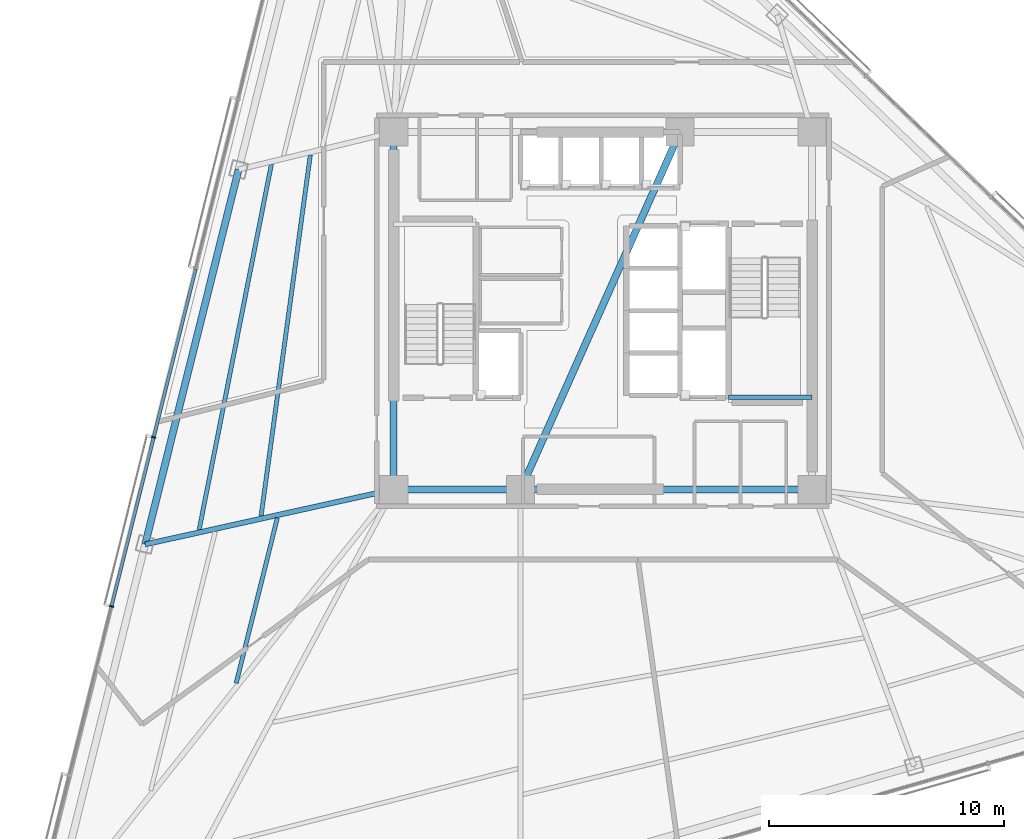
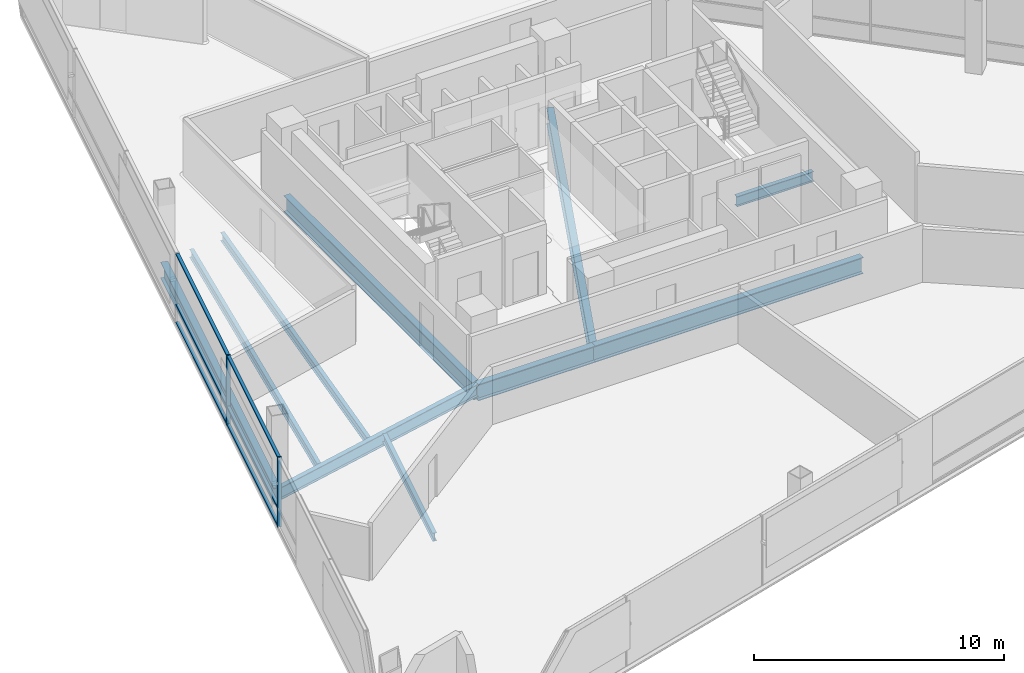
# One storey, part 4 of 18: 10 beams, 8 members, 1 element without a shape of its own.
"""IFC4 building model written with IfcOpenShell, lengths in metres."""

from ifc_helpers import new_model, si_unit, direction, frame, origin, origin_2d, place, context, subcontext, project, spatial, rectangle, i_section, extrude, material, layer, layer_set, material_profile, profile_set, type_object, element, aggregate, save


model = new_model("IFC4")

# Units and contexts
model_context = context("Model", 3, precision=1e-05, world=origin(), true_north=direction((0.0, 1.0)))
body_context = subcontext(model_context, "Body", "Model", "MODEL_VIEW")
ifc_project = project(units=[si_unit("LENGTHUNIT", "METRE"), si_unit("AREAUNIT", "SQUARE_METRE"), si_unit("VOLUMEUNIT", "CUBIC_METRE"), si_unit("PLANEANGLEUNIT", "RADIAN"), si_unit("MASSUNIT", "GRAM", prefix="KILO")], contexts=[model_context])

# Site, building, storey
site_placement = place(None, origin())
site = spatial("IfcSite", under=ifc_project, at=site_placement, CompositionType="ELEMENT")
building_placement = place(site_placement, origin())
building = spatial("IfcBuilding", under=site, at=building_placement, Name="Tharavind Bronze Gate", CompositionType="ELEMENT")
storey_placement = place(building_placement, frame((0.0, 0.0, 100.5)))
storey = spatial("IfcBuildingStorey", under=building, at=storey_placement, Name="L25", CompositionType="ELEMENT", Elevation=100.5)

# Curtain wall, members
ifc_material_1 = material(Name="Anodised Bronze Aluminium", Category="aluminium")
ifc_layer = layer(ifc_material_1, 0.219970703125)
ifc_layer_set = layer_set([ifc_layer], Name="Anodised Bronze Aluminium")
curtain_wall_type = type_object("IfcCurtainWallType", Name="UNITISED CURTAIN WALL LOWER OFFICE", PredefinedType="USERDEFINED", material=ifc_layer_set)
curtain_wall_placement = place(storey_placement, origin())
curtain_wall = element("IfcCurtainWall", 1, at=curtain_wall_placement, inside=storey, type_object=curtain_wall_type, Name="L25 unitised curtain wall lower office CW-L25-S1", ObjectType="UNITISED CURTAIN WALL", PredefinedType="USERDEFINED")
member_type_1 = type_object("IfcMemberType", Name="CURTAIN WALL BRONZE MULLION 65X180", PredefinedType="MULLION", material=ifc_material_1)
member_1_placement = place(storey_placement, frame((-19.1083984375, -5.381591796875, 0.0), z_axis=(0.0, 0.0, 1.0), x_axis=(-0.2419218956, -0.970295726276, 0.0)))
member_1 = element("IfcMember", 2, at=member_1_placement, type_object=member_type_1, Name="CW-L25-S1 mullion 5", PredefinedType="MULLION", context=body_context, shape_type="SweptSolid", body=[
    extrude(rectangle(XDim=0.06494140625, YDim=0.179931640625, at=origin_2d()), origin(), (0.0, 0.0, 1.0), 3.409912109375),
])
member_2_placement = place(storey_placement, frame((-20.902099609375, -12.57568359375, 0.0), z_axis=(0.0, 0.0, 1.0), x_axis=(-0.2419218956, -0.970295726276, 0.0)))
member_2 = element("IfcMember", 3, at=member_2_placement, type_object=member_type_1, Name="CW-L25-S1 mullion 6", PredefinedType="MULLION", context=body_context, shape_type="SweptSolid", body=[
    extrude(rectangle(XDim=0.06494140625, YDim=0.179931640625, at=origin_2d()), origin(), (0.0, 0.0, 1.0), 3.409912109375),
])
member_type_2 = type_object("IfcMemberType", Name="CURTAIN WALL BRONZE TRANSOM 65X140", PredefinedType="USERDEFINED", material=ifc_material_1)
member_3_placement = place(storey_placement, frame((-18.21142578125, -1.78466796875, 0.0), z_axis=(0.0, 0.0, 1.0), x_axis=(-0.2419218956, -0.970295726276, 0.0)))
member_3 = element("IfcMember", 4, at=member_3_placement, type_object=member_type_2, Name="CW-L25-S1 transom TB4", ObjectType="TRANSOM", PredefinedType="USERDEFINED", context=body_context, shape_type="SweptSolid", body=[
    extrude(rectangle(XDim=7.361083984375, YDim=0.139892578125, at=origin_2d()), origin(), (0.0, 0.0, 1.0), 0.06494140625),
])
member_4_placement = place(storey_placement, frame((-18.21142578125, -1.78466796875, 0.867431640625), z_axis=(0.0, 0.0, 1.0), x_axis=(-0.2419218956, -0.970295726276, 0.0)))
member_4 = element("IfcMember", 5, at=member_4_placement, type_object=member_type_2, Name="CW-L25-S1 transom TS4", ObjectType="TRANSOM", PredefinedType="USERDEFINED", context=body_context, shape_type="SweptSolid", body=[
    extrude(rectangle(XDim=7.361083984375, YDim=0.139892578125, at=origin_2d()), origin(), (0.0, 0.0, 1.0), 0.06494140625),
])
member_5_placement = place(storey_placement, frame((-18.21142578125, -1.78466796875, 3.344970703125), z_axis=(0.0, 0.0, 1.0), x_axis=(-0.2419218956, -0.970295726276, 0.0)))
member_5 = element("IfcMember", 6, at=member_5_placement, type_object=member_type_2, Name="CW-L25-S1 transom TT4", ObjectType="TRANSOM", PredefinedType="USERDEFINED", context=body_context, shape_type="SweptSolid", body=[
    extrude(rectangle(XDim=7.361083984375, YDim=0.139892578125, at=origin_2d()), origin(), (0.0, 0.0, 1.0), 0.06494140625),
])
member_6_placement = place(storey_placement, frame((-20.005126953125, -8.978759765625, 0.0), z_axis=(0.0, 0.0, 1.0), x_axis=(-0.2419218956, -0.970295726276, 0.0)))
member_6 = element("IfcMember", 7, at=member_6_placement, type_object=member_type_2, Name="CW-L25-S1 transom TB5", ObjectType="TRANSOM", PredefinedType="USERDEFINED", context=body_context, shape_type="SweptSolid", body=[
    extrude(rectangle(XDim=7.361083984375, YDim=0.139892578125, at=origin_2d()), origin(), (0.0, 0.0, 1.0), 0.06494140625),
])
member_7_placement = place(storey_placement, frame((-20.005126953125, -8.978759765625, 0.867431640625), z_axis=(0.0, 0.0, 1.0), x_axis=(-0.2419218956, -0.970295726276, 0.0)))
member_7 = element("IfcMember", 8, at=member_7_placement, type_object=member_type_2, Name="CW-L25-S1 transom TS5", ObjectType="TRANSOM", PredefinedType="USERDEFINED", context=body_context, shape_type="SweptSolid", body=[
    extrude(rectangle(XDim=7.361083984375, YDim=0.139892578125, at=origin_2d()), origin(), (0.0, 0.0, 1.0), 0.06494140625),
])
member_8_placement = place(storey_placement, frame((-20.005126953125, -8.978759765625, 3.344970703125), z_axis=(0.0, 0.0, 1.0), x_axis=(-0.2419218956, -0.970295726276, 0.0)))
member_8 = element("IfcMember", 9, at=member_8_placement, type_object=member_type_2, Name="CW-L25-S1 transom TT5", ObjectType="TRANSOM", PredefinedType="USERDEFINED", context=body_context, shape_type="SweptSolid", body=[
    extrude(rectangle(XDim=7.361083984375, YDim=0.139892578125, at=origin_2d()), origin(), (0.0, 0.0, 1.0), 0.06494140625),
])
aggregate(curtain_wall, [member_1, member_2, member_3, member_4, member_5, member_6, member_7, member_8])

# Beams
ifc_material_2 = material(Name="Steel S355", Category="steel")
ifc_material_profile_1 = material_profile(ifc_material_2, i_section(OverallWidth=0.199951171875, OverallDepth=0.5, WebThickness=0.01025390625, FlangeThickness=0.01611328125, at=origin_2d()), Name="IPE500")
ifc_profile_set_1 = profile_set([ifc_material_profile_1], Name="Steel S355")
beam_type_1 = type_object("IfcBeamType", Name="PRIMARY GIRDER IPE500", PredefinedType="USERDEFINED", material=ifc_profile_set_1)
beam_1_placement = place(storey_placement, frame((5.35009765625, -3.679931640625, 1.35009765625), z_axis=(1.0, 0.0, 0.0), x_axis=(0.0, 1.0, 0.0)))
element("IfcBeam", 10, at=beam_1_placement, inside=storey, type_object=beam_type_1, Name="L25 primary girder ipe500 BM-LD-ST2-L25-1", ObjectType="GIRDER", PredefinedType="USERDEFINED", context=body_context, shape_type="SweptSolid", body=[
    extrude(i_section(OverallWidth=0.199951171875, OverallDepth=0.5, WebThickness=0.01025390625, FlangeThickness=0.01611328125, at=origin_2d()), origin(), (0.0, 0.0, 1.0), 3.5498046875),
])
ifc_material_profile_2 = material_profile(ifc_material_2, i_section(OverallWidth=0.219970703125, OverallDepth=0.60009765625, WebThickness=0.011962890625, FlangeThickness=0.01904296875, at=origin_2d()), Name="IPE600")
ifc_profile_set_2 = profile_set([ifc_material_profile_2], Name="Steel S355")
beam_type_2 = type_object("IfcBeamType", Name="PRIMARY GIRDER IPE600", PredefinedType="USERDEFINED", material=ifc_profile_set_2)
beam_2_placement = place(storey_placement, frame((-19.4716796875, -9.93896484375, -0.489990234375), z_axis=(0.97639036101, 0.216013571162, 0.0), x_axis=(-0.216013571162, 0.97639036101, 0.0)))
element("IfcBeam", 11, at=beam_2_placement, inside=storey, type_object=beam_type_2, Name="L25 primary girder ipe600 BM-L25-RAD03", ObjectType="GIRDER", PredefinedType="USERDEFINED", context=body_context, shape_type="SweptSolid", body=[
    extrude(i_section(OverallWidth=0.219970703125, OverallDepth=0.60009765625, WebThickness=0.011962890625, FlangeThickness=0.01904296875, at=origin_2d()), origin(), (0.0, 0.0, 1.0), 10.827392578125),
])
ifc_material_profile_3 = material_profile(ifc_material_2, i_section(OverallWidth=0.300048828125, OverallDepth=0.800048828125, WebThickness=0.017578125, FlangeThickness=0.032958984375, at=origin_2d()), Name="HE800B")
ifc_profile_set_3 = profile_set([ifc_material_profile_3], Name="Steel S355")
beam_type_3 = type_object("IfcBeamType", Name="RING GIRDER HE800B", PredefinedType="USERDEFINED", material=ifc_profile_set_3)
beam_3_placement = place(storey_placement, frame((-8.89990234375, -7.60009765625, -0.590087890625), z_axis=(1.0, 0.0, 0.0), x_axis=(0.0, 1.0, 0.0)))
element("IfcBeam", 12, at=beam_3_placement, inside=storey, type_object=beam_type_3, Name="L25 ring girder he800b BM-L25-CR1", ObjectType="GIRDER", PredefinedType="USERDEFINED", context=body_context, shape_type="SweptSolid", body=[
    extrude(i_section(OverallWidth=0.300048828125, OverallDepth=0.800048828125, WebThickness=0.017578125, FlangeThickness=0.032958984375, at=origin_2d()), origin(), (0.0, 0.0, 1.0), 5.39990234375),
])
beam_4_placement = place(storey_placement, frame((-3.5, -7.60009765625, -0.590087890625), z_axis=(1.0, 0.0, 0.0), x_axis=(0.0, 1.0, 0.0)))
element("IfcBeam", 13, at=beam_4_placement, inside=storey, type_object=beam_type_3, Name="L25 ring girder he800b BM-L25-CR2", ObjectType="GIRDER", PredefinedType="USERDEFINED", context=body_context, shape_type="SweptSolid", body=[
    extrude(i_section(OverallWidth=0.300048828125, OverallDepth=0.800048828125, WebThickness=0.017578125, FlangeThickness=0.032958984375, at=origin_2d()), origin(), (0.0, 0.0, 1.0), 12.39990234375),
])
beam_5_placement = place(storey_placement, frame((-8.89990234375, 7.60009765625, -0.590087890625), z_axis=(0.0, -1.0, 0.0), x_axis=(1.0, 0.0, 0.0)))
element("IfcBeam", 14, at=beam_5_placement, inside=storey, type_object=beam_type_3, Name="L25 ring girder he800b BM-L25-CR6", ObjectType="GIRDER", PredefinedType="USERDEFINED", context=body_context, shape_type="SweptSolid", body=[
    extrude(i_section(OverallWidth=0.300048828125, OverallDepth=0.800048828125, WebThickness=0.017578125, FlangeThickness=0.032958984375, at=origin_2d()), origin(), (0.0, 0.0, 1.0), 15.2001953125),
])
beam_6_placement = place(storey_placement, frame((-3.5, -7.60009765625, -0.590087890625), z_axis=(0.407361644566, 0.913266932795, 0.0), x_axis=(-0.913266932795, 0.407361644566, 0.0)))
element("IfcBeam", 15, at=beam_6_placement, inside=storey, type_object=beam_type_3, Name="L25 ring girder he800b BM-L25-CR7", ObjectType="GIRDER", PredefinedType="USERDEFINED", context=body_context, shape_type="SweptSolid", body=[
    extrude(i_section(OverallWidth=0.300048828125, OverallDepth=0.800048828125, WebThickness=0.017578125, FlangeThickness=0.032958984375, at=origin_2d()), origin(), (0.0, 0.0, 1.0), 16.643798828125),
])
beam_7_placement = place(storey_placement, frame((-15.495849609375, 6.006591796875, -0.590087890625), z_axis=(-0.241930849107, -0.970293493872, 0.0), x_axis=(0.970293493872, -0.241930849107, 0.0)))
element("IfcBeam", 16, at=beam_7_placement, inside=storey, type_object=beam_type_3, Name="L25 ring girder he800b BM-L25-PRG02", ObjectType="GIRDER", PredefinedType="USERDEFINED", context=body_context, shape_type="SweptSolid", body=[
    extrude(i_section(OverallWidth=0.300048828125, OverallDepth=0.800048828125, WebThickness=0.017578125, FlangeThickness=0.032958984375, at=origin_2d()), origin(), (0.0, 0.0, 1.0), 16.433837890625),
])
ifc_material_profile_4 = material_profile(ifc_material_2, i_section(OverallWidth=0.179931640625, OverallDepth=0.39990234375, WebThickness=0.008544921875, FlangeThickness=0.013427734375, at=origin_2d()), Name="IPE400")
ifc_profile_set_4 = profile_set([ifc_material_profile_4], Name="Steel S355")
beam_type_4 = type_object("IfcBeamType", Name="SECONDARY FLOOR JOIST IPE400", PredefinedType="JOIST", material=ifc_profile_set_4)
beam_8_placement = place(storey_placement, frame((-12.4453125, 6.626708984375, -0.389892578125), z_axis=(-0.135096335488, -0.99083246825, 0.0), x_axis=(0.99083246825, -0.135096335488, 0.0)))
element("IfcBeam", 17, at=beam_8_placement, inside=storey, type_object=beam_type_4, Name="L25 secondary floor joist ipe400 BM-L25-JSTA02", PredefinedType="JOIST", context=body_context, shape_type="SweptSolid", body=[
    extrude(i_section(OverallWidth=0.179931640625, OverallDepth=0.39990234375, WebThickness=0.008544921875, FlangeThickness=0.013427734375, at=origin_2d()), origin(), (0.0, 0.0, 1.0), 15.5),
])
beam_9_placement = place(storey_placement, frame((-14.10205078125, 6.2265625, -0.389892578125), z_axis=(-0.193949205751, -0.981011572607, 0.0), x_axis=(0.981011572607, -0.193949205751, 0.0)))
element("IfcBeam", 18, at=beam_9_placement, inside=storey, type_object=beam_type_4, Name="L25 secondary floor joist ipe400 BM-L25-JSTB02", PredefinedType="JOIST", context=body_context, shape_type="SweptSolid", body=[
    extrude(i_section(OverallWidth=0.179931640625, OverallDepth=0.39990234375, WebThickness=0.008544921875, FlangeThickness=0.013427734375, at=origin_2d()), origin(), (0.0, 0.0, 1.0), 15.841796875),
])
beam_10_placement = place(storey_placement, frame((-13.846435546875, -8.810791015625, -0.389892578125), z_axis=(-0.241933025088, -0.970292951315, 0.0), x_axis=(0.970292951315, -0.241933025088, 0.0)))
element("IfcBeam", 19, at=beam_10_placement, inside=storey, type_object=beam_type_4, Name="L25 secondary floor joist ipe400 BM-L25-JSTA03", PredefinedType="JOIST", context=body_context, shape_type="SweptSolid", body=[
    extrude(i_section(OverallWidth=0.179931640625, OverallDepth=0.39990234375, WebThickness=0.008544921875, FlangeThickness=0.013427734375, at=origin_2d()), origin(), (0.0, 0.0, 1.0), 7.24560546875),
])

save(model, "model.ifc")
